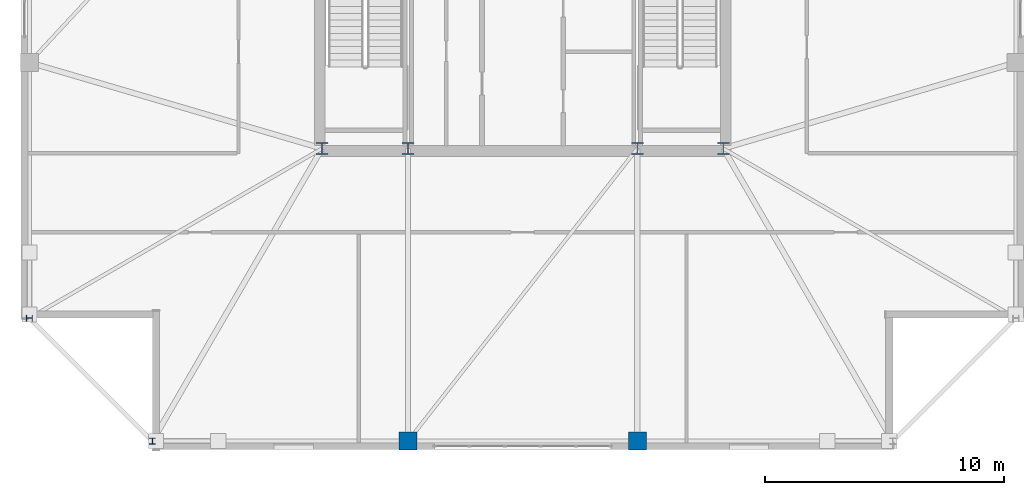
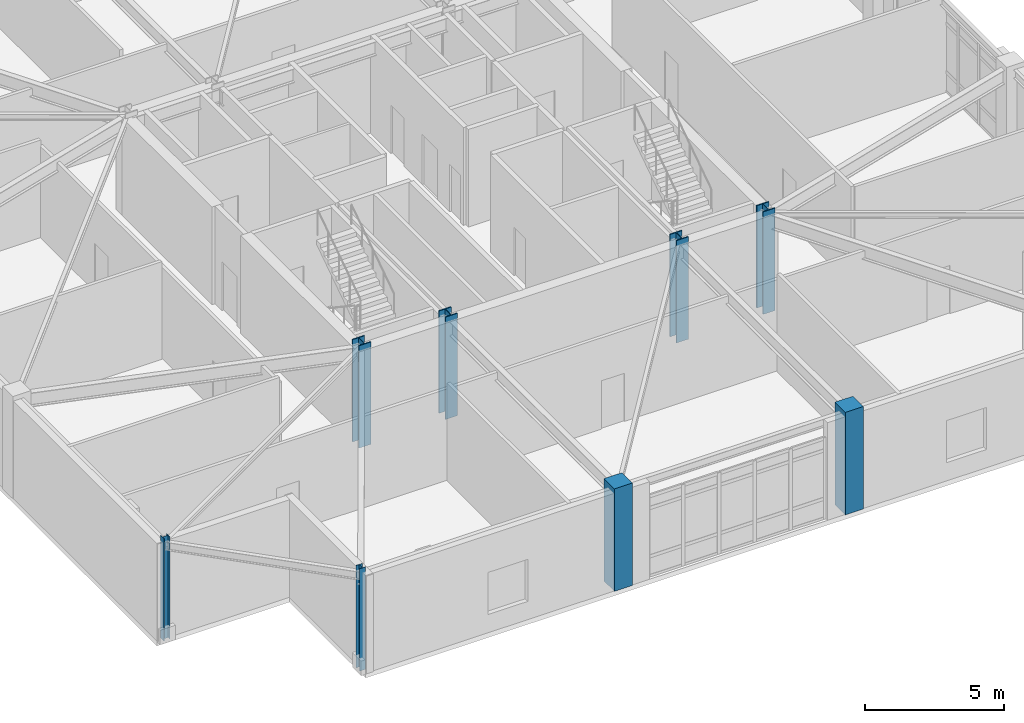
# One storey, part 1 of 16: 8 columns.
"""IFC4 building model written with IfcOpenShell, lengths in metres."""

from ifc_helpers import new_model, si_unit, direction, frame, origin, origin_2d, place, context, subcontext, project, spatial, rectangle, i_section, extrude, material, material_profile, profile_set, type_object, element, save


model = new_model("IFC4")

# Units and contexts
model_context = context("Model", 3, precision=1e-05, world=origin(), true_north=direction((0.0, 1.0)))
body_context = subcontext(model_context, "Body", "Model", "MODEL_VIEW")
ifc_project = project(units=[si_unit("LENGTHUNIT", "METRE"), si_unit("AREAUNIT", "SQUARE_METRE"), si_unit("VOLUMEUNIT", "CUBIC_METRE"), si_unit("PLANEANGLEUNIT", "RADIAN"), si_unit("MASSUNIT", "GRAM", prefix="KILO")], contexts=[model_context])

# Site, building, storey
site_placement = place(None, origin())
site = spatial("IfcSite", under=ifc_project, at=site_placement, CompositionType="ELEMENT")
building_placement = place(site_placement, origin())
building = spatial("IfcBuilding", under=site, at=building_placement, Name="Cairnveth Concourse Tower", CompositionType="ELEMENT")
storey_placement = place(building_placement, frame((0.0, 0.0, 315.5)))
storey = spatial("IfcBuildingStorey", under=building, at=storey_placement, Name="L87", CompositionType="ELEMENT", Elevation=315.5)

# Columns
ifc_material_1 = material(Name="Concrete N50 (50 MPa)", Category="concrete")
ifc_material_profile_1 = material_profile(ifc_material_1, rectangle(XDim=0.75, YDim=0.75, at=origin_2d()), Name="RC-COL-750x750")
ifc_profile_set_1 = profile_set([ifc_material_profile_1], Name="Concrete N50 (50 MPa)")
column_type_1 = type_object("IfcColumnType", Name="PERIMETER PIER COLUMN 750X750", PredefinedType="COLUMN", material=ifc_profile_set_1)
for number, where, z_axis, x_axis, name in (
    (1, (47.199951171875, 18.35009765625, 0.0), (0.0, 0.0, 1.0), (1.0, 0.0, 0.0), "Column P-S2 L87"),
    (2, (56.800048828125, 18.35009765625, 0.0), (0.0, 0.0, 1.0), (1.0, 0.0, 0.0), "Column P-S3 L87"),
):
    element("IfcColumn", number, at=place(storey_placement, frame(where, z_axis=z_axis, x_axis=x_axis)), inside=storey, type_object=column_type_1, Name=name, PredefinedType="COLUMN", context=body_context, shape_type="SweptSolid", body=[
        extrude(rectangle(XDim=0.75, YDim=0.75, at=origin_2d()), origin(), (0.0, 0.0, 1.0), 4.5),
    ])
ifc_material_2 = material(Name="Steel Grade 350", Category="steel")
ifc_material_profile_2 = material_profile(ifc_material_2, i_section(OverallWidth=0.25390625, OverallDepth=0.25390625, WebThickness=0.008544921875, FlangeThickness=0.01416015625, FilletRadius=0.012939453125, at=origin_2d()), Name="250UC72.9")
ifc_profile_set_2 = profile_set([ifc_material_profile_2], Name="Steel Grade 350")
column_type_2 = type_object("IfcColumnType", Name="UNIVERSAL STEEL COLUMN 250UC72.9", PredefinedType="COLUMN", material=ifc_profile_set_2)
for number, where, z_axis, x_axis, name in (
    (3, (36.5, 18.35009765625, 0.0), (0.0, 0.0, 1.0), (1.0, 0.0, 0.0), "Column P-S1 L87"),
    (4, (31.35009765625, 23.5, 0.0), (0.0, 0.0, 1.0), (0.0, 1.0, 0.0), "Column P-W4 L87"),
):
    element("IfcColumn", number, at=place(storey_placement, frame(where, z_axis=z_axis, x_axis=x_axis)), inside=storey, type_object=column_type_2, Name=name, PredefinedType="COLUMN", context=body_context, shape_type="SweptSolid", body=[
        extrude(i_section(OverallWidth=0.25390625, OverallDepth=0.25390625, WebThickness=0.008544921875, FlangeThickness=0.01416015625, FilletRadius=0.012939453125, at=origin_2d()), origin(), (0.0, 0.0, 1.0), 4.5),
    ])
ifc_material_profile_3 = material_profile(ifc_material_2, i_section(OverallWidth=0.5, OverallDepth=0.5, WebThickness=0.028076171875, FlangeThickness=0.044921875, at=origin_2d()), Name="500WC383")
ifc_profile_set_3 = profile_set([ifc_material_profile_3], Name="Steel Grade 350")
column_type_3 = type_object("IfcColumnType", Name="WELDED STEEL COLUMN 500WC383", PredefinedType="COLUMN", material=ifc_profile_set_3)
for number, where, z_axis, x_axis, name in (
    (5, (43.60009765625, 30.60009765625, 0.0), (0.0, 0.0, 1.0), (1.0, 0.0, 0.0), "Column CC1 L87"),
    (6, (47.199951171875, 30.60009765625, 0.0), (0.0, 0.0, 1.0), (1.0, 0.0, 0.0), "Column CC2 L87"),
    (7, (56.800048828125, 30.60009765625, 0.0), (0.0, 0.0, 1.0), (1.0, 0.0, 0.0), "Column CC3 L87"),
    (8, (60.39990234375, 30.60009765625, 0.0), (0.0, 0.0, 1.0), (1.0, 0.0, 0.0), "Column CC4 L87"),
):
    element("IfcColumn", number, at=place(storey_placement, frame(where, z_axis=z_axis, x_axis=x_axis)), inside=storey, type_object=column_type_3, Name=name, PredefinedType="COLUMN", context=body_context, shape_type="SweptSolid", body=[
        extrude(i_section(OverallWidth=0.5, OverallDepth=0.5, WebThickness=0.028076171875, FlangeThickness=0.044921875, at=origin_2d()), origin(), (0.0, 0.0, 1.0), 4.5),
    ])

save(model, "model.ifc")
